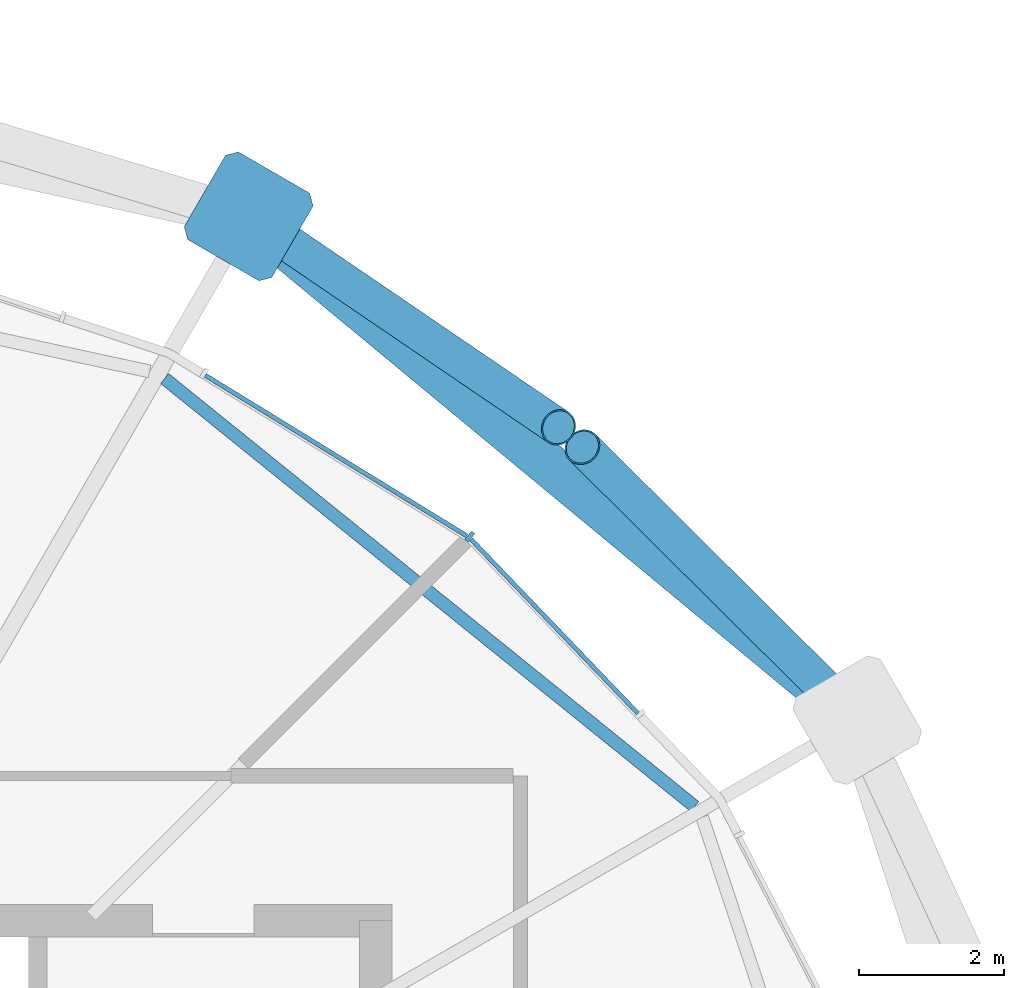
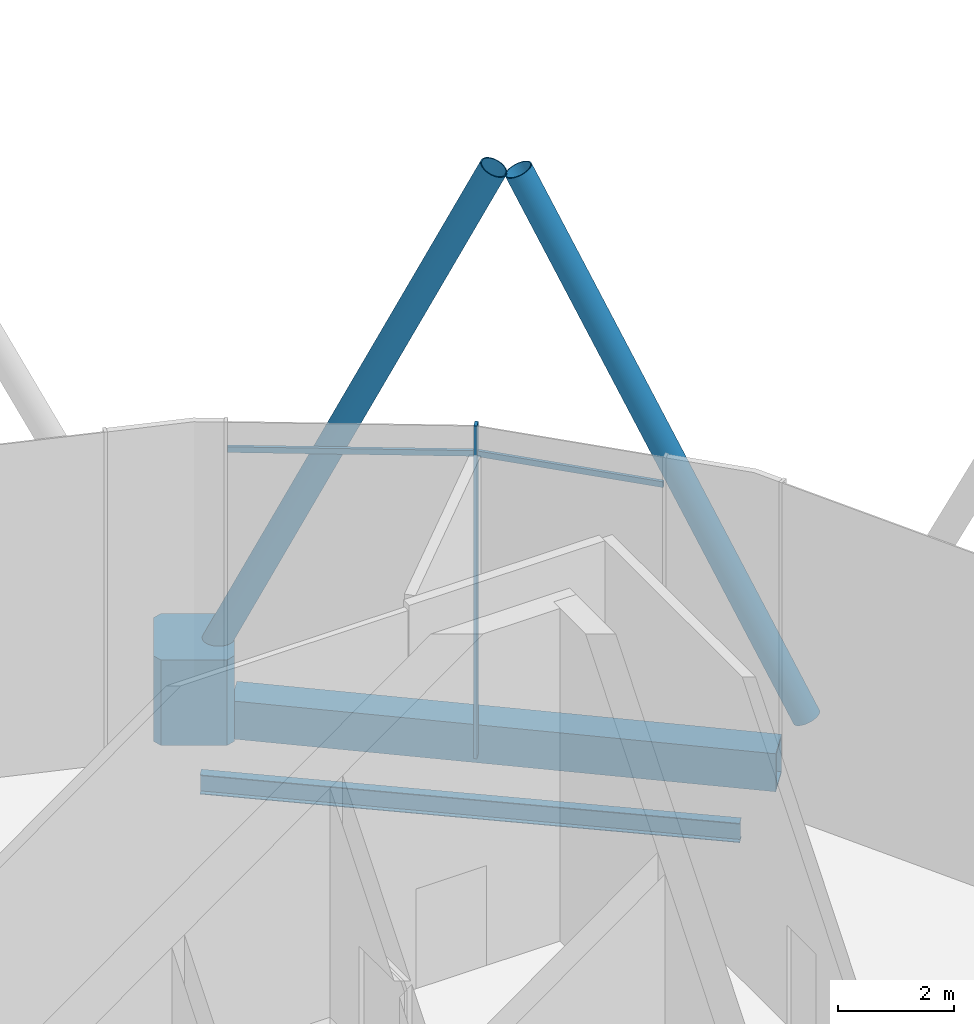
# One storey, part 8 of 28: 6 members, 2 beams, 1 element without a shape of its own.
"""IFC4 building model written with IfcOpenShell, lengths in metres."""

from ifc_helpers import new_model, si_unit, direction, frame, origin, origin_2d, place, context, subcontext, project, spatial, polyline, rectangle, hollow_rectangle, hollow_circle, i_section, outline, extrude, material, material_profile, profile_set, type_object, element, aggregate, save


model = new_model("IFC4")

# Units and contexts
model_context = context("Model", 3, precision=1e-05, world=origin(), true_north=direction((0.0, 1.0)))
body_context = subcontext(model_context, "Body", "Model", "MODEL_VIEW")
ifc_project = project(units=[si_unit("LENGTHUNIT", "METRE"), si_unit("AREAUNIT", "SQUARE_METRE"), si_unit("VOLUMEUNIT", "CUBIC_METRE"), si_unit("PLANEANGLEUNIT", "RADIAN"), si_unit("MASSUNIT", "GRAM", prefix="KILO")], contexts=[model_context])

# Site, building, storey
site_placement = place(None, origin())
site = spatial("IfcSite", under=ifc_project, at=site_placement, CompositionType="ELEMENT")
building_placement = place(site_placement, origin())
building = spatial("IfcBuilding", under=site, at=building_placement, Name="Rimbun Link Towers", CompositionType="ELEMENT")
storey_placement = place(building_placement, frame((0.0, 0.0, 256.10009765625)))
storey = spatial("IfcBuildingStorey", under=building, at=storey_placement, Name="L63", CompositionType="ELEMENT", Elevation=256.10009765625)

# Curtain wall, members
ifc_material_1 = material(Name="Aluminium 6063-T6 and low-iron glass", Category="aluminium")
curtain_wall_type = type_object("IfcCurtainWallType", Name="CW5 full height lobby wall", PredefinedType="NOTDEFINED", material=ifc_material_1)
curtain_wall_placement = place(storey_placement, origin())
curtain_wall = element("IfcCurtainWall", 1, at=curtain_wall_placement, inside=storey, type_object=curtain_wall_type, Name="CW5 L63 T1", PredefinedType="NOTDEFINED")
ifc_material_2 = material(Name="Aluminium 6063-T6", Category="aluminium")
ifc_material_profile_1 = material_profile(ifc_material_2, rectangle(XDim=0.14990234375, YDim=0.06005859375, at=origin_2d()), Name="MULLION 60X150")
ifc_profile_set_1 = profile_set([ifc_material_profile_1], Name="Aluminium 6063-T6")
member_type_1 = type_object("IfcMemberType", Name="CW5 mullion 60X150", PredefinedType="MULLION", material=ifc_profile_set_1)
member_1_placement = place(storey_placement, frame((-18.451904296875, 13.3095703125, 0.0), z_axis=(0.0, 0.0, 1.0), x_axis=(0.627673907334, 0.778476374755, 0.0)))
member_1 = element("IfcMember", 2, at=member_1_placement, type_object=member_type_1, Name="CW5 mullion", PredefinedType="MULLION", context=body_context, shape_type="SweptSolid", body=[
    extrude(rectangle(XDim=0.14990234375, YDim=0.06005859375, at=origin_2d()), origin(), (0.0, 0.0, 1.0), 7.0),
])
ifc_material_3 = material(Name="Aluminium 6063-T6", Category="aluminium")
ifc_material_profile_2 = material_profile(ifc_material_3, rectangle(XDim=0.06005859375, YDim=0.1201171875, at=origin_2d()), Name="TRANSOM 60X120")
ifc_profile_set_2 = profile_set([ifc_material_profile_2], Name="Aluminium 6063-T6")
member_type_2 = type_object("IfcMemberType", Name="CW5 transom 60X120", PredefinedType="USERDEFINED", material=ifc_profile_set_2)
member_2_placement = place(storey_placement, frame((-18.433349609375, 13.2724609375, 6.39990234375), z_axis=(0.692011907201, -0.721886085398, 0.0), x_axis=(0.721886085398, 0.692011907201, 0.0)))
member_2 = element("IfcMember", 3, at=member_2_placement, type_object=member_type_2, Name="CW5 transom", ObjectType="TRANSOM", PredefinedType="USERDEFINED", context=body_context, shape_type="SweptSolid", body=[
    extrude(rectangle(XDim=0.06005859375, YDim=0.1201171875, at=origin_2d()), origin(), (0.0, 0.0, 1.0), 3.334228515625),
])
member_3_placement = place(storey_placement, frame((-22.10693359375, 15.539306640625, 6.39990234375), z_axis=(0.852171675946, -0.523262300108, 0.0), x_axis=(0.523262300108, 0.852171675946, 0.0)))
member_3 = element("IfcMember", 4, at=member_3_placement, type_object=member_type_2, Name="CW5 transom", ObjectType="TRANSOM", PredefinedType="USERDEFINED", context=body_context, shape_type="SweptSolid", body=[
    extrude(rectangle(XDim=0.06005859375, YDim=0.1201171875, at=origin_2d()), origin(), (0.0, 0.0, 1.0), 4.2421875),
])
aggregate(curtain_wall, [member_1, member_2, member_3])

# Members
ifc_material_4 = material(Name="Steel S355J2H", Category="steel")
ifc_material_profile_3 = material_profile(ifc_material_4, hollow_circle(Radius=0.25390625, WallThickness=0.02001953125, at=origin_2d()), Name="Diagrid diagonal CHS 508x20")
ifc_profile_set_3 = profile_set([ifc_material_profile_3], Name="Steel S355J2H")
member_type_3 = type_object("IfcMemberType", Name="Diagrid diagonal CHS 508x20", PredefinedType="BRACE", material=ifc_profile_set_3)
member_4_placement = place(storey_placement, frame((-13.248779296875, 10.9248046875, 0.44970703125), z_axis=(-0.309453031565, 0.307504961315, 0.899821937953), x_axis=(-0.704870548634, -0.70933596389, 0.0)))
element("IfcMember", 5, at=member_4_placement, inside=storey, type_object=member_type_3, Name="Diagrid diagonal T1 L63-L65 02b", PredefinedType="BRACE", context=body_context, shape_type="SweptSolid", body=[
    extrude(hollow_circle(Radius=0.25390625, WallThickness=0.02001953125, at=origin_2d()), origin(), (0.0, 0.0, 1.0), 11.780517578125),
])
member_5_placement = place(storey_placement, frame((-21.333251953125, 17.618896484375, 0.45263671875), z_axis=(0.351103105686, -0.239096416771, 0.905295262699), x_axis=(0.562867368721, 0.826547231094, 0.0)))
element("IfcMember", 6, at=member_5_placement, inside=storey, type_object=member_type_3, Name="Diagrid diagonal T1 L63-L65 04a", PredefinedType="BRACE", context=body_context, shape_type="SweptSolid", body=[
    extrude(hollow_circle(Radius=0.25390625, WallThickness=0.02001953125, at=origin_2d()), origin(), (0.0, 0.0, 1.0), 11.702880859375),
])
ifc_material_5 = material(Name="Cast steel G20Mn5+QT, Rp0.2 300 MPa", Category="steel")
ifc_material_profile_4 = material_profile(ifc_material_5, outline(polyline([(0.699951171875, -0.570068359375), (0.699951171875, 0.570068359375), (0.570068359375, 0.699951171875), (-0.570068359375, 0.699951171875), (-0.699951171875, 0.570068359375), (-0.699951171875, -0.570068359375), (-0.570068359375, -0.699951171875), (0.570068359375, -0.699951171875), (0.699951171875, -0.570068359375)])), Name="NODE 1400x1400")
ifc_profile_set_4 = profile_set([ifc_material_profile_4], Name="Cast steel G20Mn5+QT, Rp0.2 300 MPa")
member_type_4 = type_object("IfcMemberType", Name="Diagrid node cast 1400", PredefinedType="USERDEFINED", material=ifc_profile_set_4)
member_6_placement = place(storey_placement, frame((-21.5087890625, 17.73828125, -0.900146484375), z_axis=(0.0, 0.0, 1.0), x_axis=(0.5, 0.866025403784, 0.0)))
element("IfcMember", 7, at=member_6_placement, inside=storey, type_object=member_type_4, Name="Diagrid node L63 04", ObjectType="Diagrid node", PredefinedType="USERDEFINED", context=body_context, shape_type="SweptSolid", body=[
    extrude(outline(polyline([(0.699951171875, -0.570068359375), (0.699951171875, 0.570068359375), (0.570068359375, 0.699951171875), (-0.570068359375, 0.699951171875), (-0.699951171875, 0.570068359375), (-0.699951171875, -0.570068359375), (-0.570068359375, -0.699951171875), (0.570068359375, -0.699951171875), (0.699951171875, -0.570068359375)])), origin(), (0.0, 0.0, 1.0), 1.800048828125),
])

# Beams
ifc_material_6 = material(Name="Steel S355J2", Category="steel")
ifc_material_profile_5 = material_profile(ifc_material_6, hollow_rectangle(XDim=0.60009765625, YDim=0.800048828125, WallThickness=0.0400390625, at=origin_2d()), Name="Exoskeleton ring girder BOX 600x800x40")
ifc_profile_set_5 = profile_set([ifc_material_profile_5], Name="Steel S355J2")
beam_type_1 = type_object("IfcBeamType", Name="Exoskeleton ring girder BOX 600x800x40", PredefinedType="BEAM", material=ifc_profile_set_5)
beam_1_placement = place(storey_placement, frame((-13.63330078125, 11.21728515625, -0.56005859375), z_axis=(-0.770219769498, 0.637778571821, 0.0), x_axis=(-0.637778571821, -0.770219769498, 0.0)))
element("IfcBeam", 8, at=beam_1_placement, inside=storey, type_object=beam_type_1, Name="Exoskeleton ring girder L63 01", PredefinedType="BEAM", context=body_context, shape_type="SweptSolid", body=[
    extrude(hollow_rectangle(XDim=0.60009765625, YDim=0.800048828125, WallThickness=0.0400390625, at=origin_2d()), origin(), (0.0, 0.0, 1.0), 9.52490234375),
])
ifc_material_7 = material(Name="Steel S355J2", Category="steel")
ifc_material_profile_6 = material_profile(ifc_material_7, i_section(OverallWidth=0.177978515625, OverallDepth=0.406494140625, WebThickness=0.0078125, FlangeThickness=0.0126953125, at=origin_2d()), Name="UB 406x178x60")
ifc_profile_set_6 = profile_set([ifc_material_profile_6], Name="Steel S355J2")
beam_type_2 = type_object("IfcBeamType", Name="UB 406x178x60", PredefinedType="BEAM", material=ifc_profile_set_6)
beam_2_placement = place(storey_placement, frame((-15.340576171875, 9.577880859375, -0.38330078125), z_axis=(-0.778080013236, 0.628165179712, 0.0), x_axis=(-0.628165179712, -0.778080013236, 0.0)))
element("IfcBeam", 9, at=beam_2_placement, inside=storey, type_object=beam_type_2, Name="Edge beam T1 L63 02-04", PredefinedType="BEAM", context=body_context, shape_type="SweptSolid", body=[
    extrude(i_section(OverallWidth=0.177978515625, OverallDepth=0.406494140625, WebThickness=0.0078125, FlangeThickness=0.0126953125, at=origin_2d()), origin(), (0.0, 0.0, 1.0), 9.421142578125),
])

save(model, "model.ifc")
